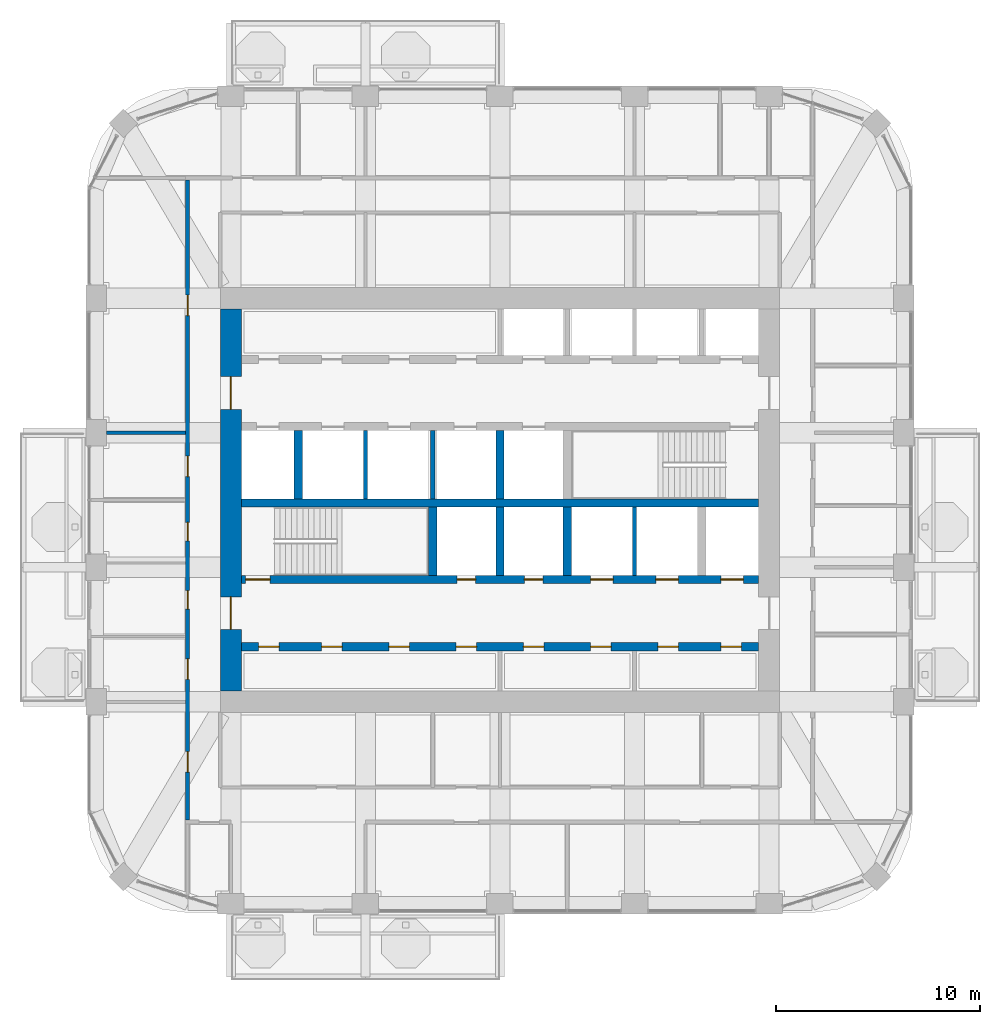
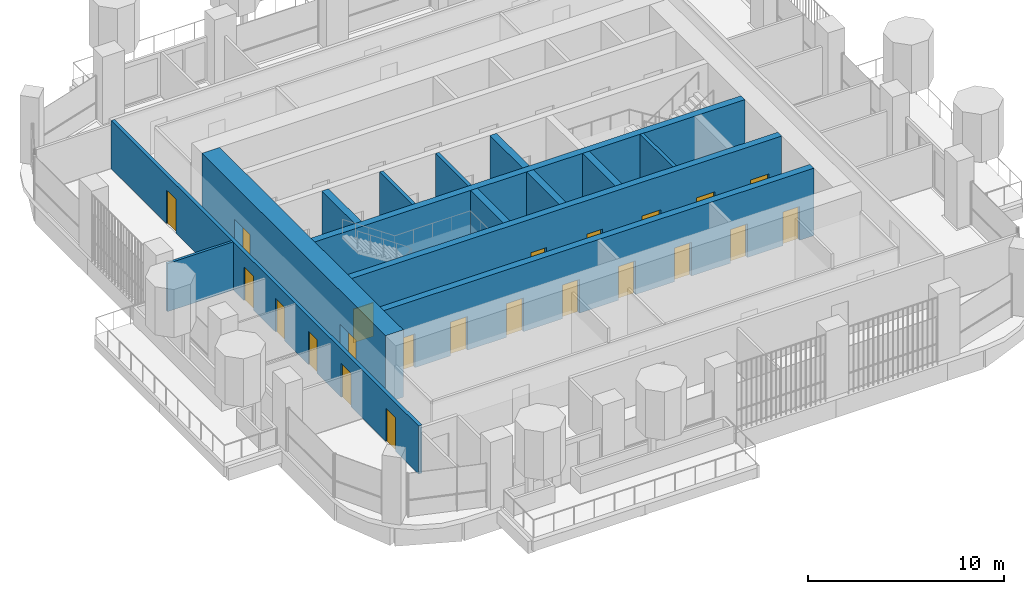
# One storey, part 12 of 20: 22 doors, 14 walls, 22 openings.
"""IFC4 building model written with IfcOpenShell, lengths in metres."""

from ifc_helpers import new_model, si_unit, direction, frame, frame_2d, origin, place, context, subcontext, project, spatial, rectangle, extrude, material, layer, layer_set, type_object, element, fill, save


model = new_model("IFC4")

# Units and contexts
model_context = context("Model", 3, precision=1e-05, world=origin(), true_north=direction((0.0, 1.0)))
body_context = subcontext(model_context, "Body", "Model", "MODEL_VIEW")
ifc_project = project(units=[si_unit("LENGTHUNIT", "METRE"), si_unit("AREAUNIT", "SQUARE_METRE"), si_unit("VOLUMEUNIT", "CUBIC_METRE"), si_unit("PLANEANGLEUNIT", "RADIAN"), si_unit("MASSUNIT", "GRAM", prefix="KILO")], contexts=[model_context])

# Site, building, storey
site_placement = place(None, origin())
site = spatial("IfcSite", under=ifc_project, at=site_placement, CompositionType="ELEMENT")
building_placement = place(site_placement, origin())
building = spatial("IfcBuilding", under=site, at=building_placement, Name="Cobogo Forest Laboratory Tower", CompositionType="ELEMENT")
storey_placement = place(building_placement, frame((0.0, 0.0, 254.39990234375)))
storey = spatial("IfcBuildingStorey", under=building, at=storey_placement, Name="L58", CompositionType="ELEMENT", Elevation=254.39990234375)

# Wall, openings, doors
ifc_material_1 = material(Name="Concrete HA-50 (C50/60)", Category="concrete")
ifc_layer_1 = layer(ifc_material_1, 0.39990234375)
ifc_layer_set_1 = layer_set([ifc_layer_1], Name="CI400 core inner wall 400")
wall_type_1 = type_object("IfcWallType", Name="CI400 core inner wall 400", PredefinedType="SHEAR", material=ifc_layer_set_1)
wall_1_placement = place(storey_placement, frame((13.72509765625, 15.89990234375, 0.0), z_axis=(0.0, 0.0, 1.0), x_axis=(1.0, 0.0, 0.0)))
wall_1 = element("IfcWall", 1, at=wall_1_placement, inside=storey, type_object=wall_type_1, Name="Core wall CI-15.9 L58", PredefinedType="SHEAR", context=body_context, shape_type="SweptSolid", body=[
    extrude(rectangle(XDim=25.349853515625, YDim=0.39990234375, at=frame_2d((12.6748046875, 0.0))), origin(), (0.0, 0.0, 1.0), 4.2001953125),
])
opening_1_placement = place(wall_1_placement, frame((0.83740234375, 0.0, 0.0)))
opening_1 = element("IfcOpeningElement", 2, at=opening_1_placement, cuts=wall_1, Name="Opening L58-D12", PredefinedType="OPENING", context=body_context, shape_type="SweptSolid", body=[
    extrude(rectangle(XDim=1.0, YDim=2.10009765625, at=frame_2d((0.5, 1.050048828125))), frame((0.0, 0.2099609375, 0.0), z_axis=(0.0, -1.0, 0.0), x_axis=(1.0, 0.0, 0.0)), (0.0, 0.0, 1.0), 0.419921875),
])
opening_2_placement = place(wall_1_placement, frame((3.925048828125, 0.0, 0.0)))
opening_2 = element("IfcOpeningElement", 3, at=opening_2_placement, cuts=wall_1, Name="Opening L58-D13", PredefinedType="OPENING", context=body_context, shape_type="SweptSolid", body=[
    extrude(rectangle(XDim=1.0, YDim=2.10009765625, at=frame_2d((0.5, 1.050048828125))), frame((0.0, 0.2099609375, 0.0), z_axis=(0.0, -1.0, 0.0), x_axis=(1.0, 0.0, 0.0)), (0.0, 0.0, 1.0), 0.419921875),
])
opening_3_placement = place(wall_1_placement, frame((7.22509765625, 0.0, 0.0)))
opening_3 = element("IfcOpeningElement", 4, at=opening_3_placement, cuts=wall_1, Name="Opening L58-D14", PredefinedType="OPENING", context=body_context, shape_type="SweptSolid", body=[
    extrude(rectangle(XDim=1.0, YDim=2.10009765625, at=frame_2d((0.5, 1.050048828125))), frame((0.0, 0.2099609375, 0.0), z_axis=(0.0, -1.0, 0.0), x_axis=(1.0, 0.0, 0.0)), (0.0, 0.0, 1.0), 0.419921875),
])
opening_4_placement = place(wall_1_placement, frame((10.52490234375, 0.0, 0.0)))
opening_4 = element("IfcOpeningElement", 5, at=opening_4_placement, cuts=wall_1, Name="Opening L58-D15", PredefinedType="OPENING", context=body_context, shape_type="SweptSolid", body=[
    extrude(rectangle(XDim=1.0, YDim=2.10009765625, at=frame_2d((0.5, 1.050048828125))), frame((0.0, 0.2099609375, 0.0), z_axis=(0.0, -1.0, 0.0), x_axis=(1.0, 0.0, 0.0)), (0.0, 0.0, 1.0), 0.419921875),
])
opening_5_placement = place(wall_1_placement, frame((13.824951171875, 0.0, 0.0)))
opening_5 = element("IfcOpeningElement", 6, at=opening_5_placement, cuts=wall_1, Name="Opening L58-D16", PredefinedType="OPENING", context=body_context, shape_type="SweptSolid", body=[
    extrude(rectangle(XDim=1.0, YDim=2.10009765625, at=frame_2d((0.5, 1.050048828125))), frame((0.0, 0.2099609375, 0.0), z_axis=(0.0, -1.0, 0.0), x_axis=(1.0, 0.0, 0.0)), (0.0, 0.0, 1.0), 0.419921875),
])
opening_6_placement = place(wall_1_placement, frame((17.125, 0.0, 0.0)))
opening_6 = element("IfcOpeningElement", 7, at=opening_6_placement, cuts=wall_1, Name="Opening L58-D17", PredefinedType="OPENING", context=body_context, shape_type="SweptSolid", body=[
    extrude(rectangle(XDim=1.0, YDim=2.10009765625, at=frame_2d((0.5, 1.050048828125))), frame((0.0, 0.2099609375, 0.0), z_axis=(0.0, -1.0, 0.0), x_axis=(1.0, 0.0, 0.0)), (0.0, 0.0, 1.0), 0.419921875),
])
opening_7_placement = place(wall_1_placement, frame((20.425048828125, 0.0, 0.0)))
opening_7 = element("IfcOpeningElement", 8, at=opening_7_placement, cuts=wall_1, Name="Opening L58-D18", PredefinedType="OPENING", context=body_context, shape_type="SweptSolid", body=[
    extrude(rectangle(XDim=1.0, YDim=2.10009765625, at=frame_2d((0.5, 1.050048828125))), frame((0.0, 0.2099609375, 0.0), z_axis=(0.0, -1.0, 0.0), x_axis=(1.0, 0.0, 0.0)), (0.0, 0.0, 1.0), 0.419921875),
])
opening_8_placement = place(wall_1_placement, frame((23.512451171875, 0.0, 0.0)))
opening_8 = element("IfcOpeningElement", 9, at=opening_8_placement, cuts=wall_1, Name="Opening L58-D19", PredefinedType="OPENING", context=body_context, shape_type="SweptSolid", body=[
    extrude(rectangle(XDim=1.0, YDim=2.10009765625, at=frame_2d((0.5, 1.050048828125))), frame((0.0, 0.2099609375, 0.0), z_axis=(0.0, -1.0, 0.0), x_axis=(1.0, 0.0, 0.0)), (0.0, 0.0, 1.0), 0.419921875),
])
ifc_material_2 = material(Name="Steel fire door", Category="steel")
door_type_1 = type_object("IfcDoorType", Name="FD1 fire door 1000 EI2 60", OperationType="SINGLE_SWING_LEFT", PredefinedType="DOOR", material=ifc_material_2)
door_1_placement = place(opening_1_placement, origin())
door_1 = element("IfcDoor", 10, at=door_1_placement, inside=storey, type_object=door_type_1, Name="Door L58-SH-LA1", OperationType="SINGLE_SWING_LEFT", OverallHeight=2.10009765625, OverallWidth=1.0, PredefinedType="DOOR", context=body_context, shape_type="SweptSolid", body=[
    extrude(rectangle(XDim=1.0, YDim=2.10009765625, at=frame_2d((0.5, 1.050048828125))), frame((0.0, 0.02490234375, 0.0), z_axis=(0.0, -1.0, 0.0), x_axis=(1.0, 0.0, 0.0)), (0.0, 0.0, 1.0), 0.050048828125),
])
fill(opening_1, door_1)
door_2_placement = place(opening_2_placement, origin())
door_2 = element("IfcDoor", 11, at=door_2_placement, inside=storey, type_object=door_type_1, Name="Door L58-SH-LA2", OperationType="SINGLE_SWING_LEFT", OverallHeight=2.10009765625, OverallWidth=1.0, PredefinedType="DOOR", context=body_context, shape_type="SweptSolid", body=[
    extrude(rectangle(XDim=1.0, YDim=2.10009765625, at=frame_2d((0.5, 1.050048828125))), frame((0.0, 0.02490234375, 0.0), z_axis=(0.0, -1.0, 0.0), x_axis=(1.0, 0.0, 0.0)), (0.0, 0.0, 1.0), 0.050048828125),
])
fill(opening_2, door_2)
door_3_placement = place(opening_3_placement, origin())
door_3 = element("IfcDoor", 12, at=door_3_placement, inside=storey, type_object=door_type_1, Name="Door L58-SH-LA3", OperationType="SINGLE_SWING_LEFT", OverallHeight=2.10009765625, OverallWidth=1.0, PredefinedType="DOOR", context=body_context, shape_type="SweptSolid", body=[
    extrude(rectangle(XDim=1.0, YDim=2.10009765625, at=frame_2d((0.5, 1.050048828125))), frame((0.0, 0.02490234375, 0.0), z_axis=(0.0, -1.0, 0.0), x_axis=(1.0, 0.0, 0.0)), (0.0, 0.0, 1.0), 0.050048828125),
])
fill(opening_3, door_3)
door_4_placement = place(opening_4_placement, origin())
door_4 = element("IfcDoor", 13, at=door_4_placement, inside=storey, type_object=door_type_1, Name="Door L58-SH-LA4", OperationType="SINGLE_SWING_LEFT", OverallHeight=2.10009765625, OverallWidth=1.0, PredefinedType="DOOR", context=body_context, shape_type="SweptSolid", body=[
    extrude(rectangle(XDim=1.0, YDim=2.10009765625, at=frame_2d((0.5, 1.050048828125))), frame((0.0, 0.02490234375, 0.0), z_axis=(0.0, -1.0, 0.0), x_axis=(1.0, 0.0, 0.0)), (0.0, 0.0, 1.0), 0.050048828125),
])
fill(opening_4, door_4)
door_5_placement = place(opening_5_placement, origin())
door_5 = element("IfcDoor", 14, at=door_5_placement, inside=storey, type_object=door_type_1, Name="Door L58-SH-LB1", OperationType="SINGLE_SWING_RIGHT", OverallHeight=2.10009765625, OverallWidth=1.0, PredefinedType="DOOR", context=body_context, shape_type="SweptSolid", body=[
    extrude(rectangle(XDim=1.0, YDim=2.10009765625, at=frame_2d((0.5, 1.050048828125))), frame((0.0, 0.02490234375, 0.0), z_axis=(0.0, -1.0, 0.0), x_axis=(1.0, 0.0, 0.0)), (0.0, 0.0, 1.0), 0.050048828125),
])
fill(opening_5, door_5)
door_6_placement = place(opening_6_placement, origin())
door_6 = element("IfcDoor", 15, at=door_6_placement, inside=storey, type_object=door_type_1, Name="Door L58-SH-LB2", OperationType="SINGLE_SWING_RIGHT", OverallHeight=2.10009765625, OverallWidth=1.0, PredefinedType="DOOR", context=body_context, shape_type="SweptSolid", body=[
    extrude(rectangle(XDim=1.0, YDim=2.10009765625, at=frame_2d((0.5, 1.050048828125))), frame((0.0, 0.02490234375, 0.0), z_axis=(0.0, -1.0, 0.0), x_axis=(1.0, 0.0, 0.0)), (0.0, 0.0, 1.0), 0.050048828125),
])
fill(opening_6, door_6)
door_7_placement = place(opening_7_placement, origin())
door_7 = element("IfcDoor", 16, at=door_7_placement, inside=storey, type_object=door_type_1, Name="Door L58-SH-LB3", OperationType="SINGLE_SWING_RIGHT", OverallHeight=2.10009765625, OverallWidth=1.0, PredefinedType="DOOR", context=body_context, shape_type="SweptSolid", body=[
    extrude(rectangle(XDim=1.0, YDim=2.10009765625, at=frame_2d((0.5, 1.050048828125))), frame((0.0, 0.02490234375, 0.0), z_axis=(0.0, -1.0, 0.0), x_axis=(1.0, 0.0, 0.0)), (0.0, 0.0, 1.0), 0.050048828125),
])
fill(opening_7, door_7)
door_8_placement = place(opening_8_placement, origin())
door_8 = element("IfcDoor", 17, at=door_8_placement, inside=storey, type_object=door_type_1, Name="Door L58-SH-LB4", OperationType="SINGLE_SWING_RIGHT", OverallHeight=2.10009765625, OverallWidth=1.0, PredefinedType="DOOR", context=body_context, shape_type="SweptSolid", body=[
    extrude(rectangle(XDim=1.0, YDim=2.10009765625, at=frame_2d((0.5, 1.050048828125))), frame((0.0, 0.02490234375, 0.0), z_axis=(0.0, -1.0, 0.0), x_axis=(1.0, 0.0, 0.0)), (0.0, 0.0, 1.0), 0.050048828125),
])
fill(opening_8, door_8)

wall_2_placement = place(storey_placement, frame((13.72509765625, 19.199951171875, 0.0), z_axis=(0.0, 0.0, 1.0), x_axis=(1.0, 0.0, 0.0)))
wall_2 = element("IfcWall", 18, at=wall_2_placement, inside=storey, type_object=wall_type_1, Name="Core wall CI-19.2 L58", PredefinedType="SHEAR", context=body_context, shape_type="SweptSolid", body=[
    extrude(rectangle(XDim=25.349853515625, YDim=0.39990234375, at=frame_2d((12.6748046875, 0.0))), origin(), (0.0, 0.0, 1.0), 4.2001953125),
])
opening_9_placement = place(wall_2_placement, frame((10.574951171875, 0.0, 0.0)))
opening_9 = element("IfcOpeningElement", 19, at=opening_9_placement, cuts=wall_2, Name="Opening L58-D27", PredefinedType="OPENING", context=body_context, shape_type="SweptSolid", body=[
    extrude(rectangle(XDim=0.89990234375, YDim=2.10009765625, at=frame_2d((0.449951171875, 1.050048828125))), frame((0.0, 0.2099609375, 0.0), z_axis=(0.0, -1.0, 0.0), x_axis=(1.0, 0.0, 0.0)), (0.0, 0.0, 1.0), 0.419921875),
])
opening_10_placement = place(wall_2_placement, frame((13.875, 0.0, 0.0)))
opening_10 = element("IfcOpeningElement", 20, at=opening_10_placement, cuts=wall_2, Name="Opening L58-D28", PredefinedType="OPENING", context=body_context, shape_type="SweptSolid", body=[
    extrude(rectangle(XDim=0.89990234375, YDim=2.10009765625, at=frame_2d((0.449951171875, 1.050048828125))), frame((0.0, 0.2099609375, 0.0), z_axis=(0.0, -1.0, 0.0), x_axis=(1.0, 0.0, 0.0)), (0.0, 0.0, 1.0), 0.419921875),
])
opening_11_placement = place(wall_2_placement, frame((0.199951171875, 0.0, 0.0)))
opening_11 = element("IfcOpeningElement", 21, at=opening_11_placement, cuts=wall_2, Name="Opening L58-D26", PredefinedType="OPENING", context=body_context, shape_type="SweptSolid", body=[
    extrude(rectangle(XDim=1.199951171875, YDim=2.10009765625, at=frame_2d((0.60009765625, 1.050048828125))), frame((0.0, 0.2099609375, 0.0), z_axis=(0.0, -1.0, 0.0), x_axis=(1.0, 0.0, 0.0)), (0.0, 0.0, 1.0), 0.419921875),
])
opening_12_placement = place(wall_2_placement, frame((23.512451171875, 0.0, 0.0)))
opening_12 = element("IfcOpeningElement", 22, at=opening_12_placement, cuts=wall_2, Name="Opening L58-LD-FL2", PredefinedType="OPENING", context=body_context, shape_type="SweptSolid", body=[
    extrude(rectangle(XDim=1.10009765625, YDim=2.10009765625, at=frame_2d((0.550048828125, 1.050048828125))), frame((0.0, 0.2099609375, 0.0), z_axis=(0.0, -1.0, 0.0), x_axis=(1.0, 0.0, 0.0)), (0.0, 0.0, 1.0), 0.419921875),
])
opening_13_placement = place(wall_2_placement, frame((17.125, 0.0, 0.0)))
opening_13 = element("IfcOpeningElement", 23, at=opening_13_placement, cuts=wall_2, Name="Opening L58-LD-LS1", PredefinedType="OPENING", context=body_context, shape_type="SweptSolid", body=[
    extrude(rectangle(XDim=1.10009765625, YDim=2.10009765625, at=frame_2d((0.550048828125, 1.050048828125))), frame((0.0, 0.2099609375, 0.0), z_axis=(0.0, -1.0, 0.0), x_axis=(1.0, 0.0, 0.0)), (0.0, 0.0, 1.0), 0.419921875),
])
opening_14_placement = place(wall_2_placement, frame((20.324951171875, 0.0, 0.0)))
opening_14 = element("IfcOpeningElement", 24, at=opening_14_placement, cuts=wall_2, Name="Opening L58-LD-LS2", PredefinedType="OPENING", context=body_context, shape_type="SweptSolid", body=[
    extrude(rectangle(XDim=1.10009765625, YDim=2.10009765625, at=frame_2d((0.550048828125, 1.050048828125))), frame((0.0, 0.2099609375, 0.0), z_axis=(0.0, -1.0, 0.0), x_axis=(1.0, 0.0, 0.0)), (0.0, 0.0, 1.0), 0.419921875),
])
door_type_2 = type_object("IfcDoorType", Name="DS1 protected stair door 1200 EI2 60", OperationType="SINGLE_SWING_LEFT", PredefinedType="DOOR", material=ifc_material_2)
door_9_placement = place(opening_11_placement, origin())
door_9 = element("IfcDoor", 25, at=door_9_placement, inside=storey, type_object=door_type_2, Name="Door L58-ST1", OperationType="SINGLE_SWING_LEFT", OverallHeight=2.10009765625, OverallWidth=1.199951171875, PredefinedType="DOOR", context=body_context, shape_type="SweptSolid", body=[
    extrude(rectangle(XDim=1.199951171875, YDim=2.10009765625, at=frame_2d((0.60009765625, 1.050048828125))), frame((0.0, 0.02490234375, 0.0), z_axis=(0.0, -1.0, 0.0), x_axis=(1.0, 0.0, 0.0)), (0.0, 0.0, 1.0), 0.050048828125),
])
fill(opening_11, door_9)
door_type_3 = type_object("IfcDoorType", Name="FD4 riser access door 900 EI2 60", OperationType="SINGLE_SWING_LEFT", PredefinedType="DOOR", material=ifc_material_2)
door_10_placement = place(opening_9_placement, origin())
door_10 = element("IfcDoor", 26, at=door_10_placement, inside=storey, type_object=door_type_3, Name="Door L58-R1", OperationType="SINGLE_SWING_LEFT", OverallHeight=2.10009765625, OverallWidth=0.89990234375, PredefinedType="DOOR", context=body_context, shape_type="SweptSolid", body=[
    extrude(rectangle(XDim=0.89990234375, YDim=2.10009765625, at=frame_2d((0.449951171875, 1.050048828125))), frame((0.0, 0.02490234375, 0.0), z_axis=(0.0, -1.0, 0.0), x_axis=(1.0, 0.0, 0.0)), (0.0, 0.0, 1.0), 0.050048828125),
])
fill(opening_9, door_10)
door_11_placement = place(opening_10_placement, origin())
door_11 = element("IfcDoor", 27, at=door_11_placement, inside=storey, type_object=door_type_3, Name="Door L58-R2", OperationType="SINGLE_SWING_RIGHT", OverallHeight=2.10009765625, OverallWidth=0.89990234375, PredefinedType="DOOR", context=body_context, shape_type="SweptSolid", body=[
    extrude(rectangle(XDim=0.89990234375, YDim=2.10009765625, at=frame_2d((0.449951171875, 1.050048828125))), frame((0.0, 0.02490234375, 0.0), z_axis=(0.0, -1.0, 0.0), x_axis=(1.0, 0.0, 0.0)), (0.0, 0.0, 1.0), 0.050048828125),
])
fill(opening_10, door_11)
ifc_material_3 = material(Name="Stainless steel lift door", Category="steel")
door_type_4 = type_object("IfcDoorType", Name="LD lift landing door 1100", OperationType="DOUBLE_DOOR_SLIDING", PredefinedType="DOOR", material=ifc_material_3)
door_12_placement = place(opening_12_placement, origin())
door_12 = element("IfcDoor", 28, at=door_12_placement, inside=storey, type_object=door_type_4, Name="Lift landing door FL2 L58", OperationType="DOUBLE_DOOR_SLIDING", OverallHeight=2.10009765625, OverallWidth=1.10009765625, PredefinedType="DOOR", context=body_context, shape_type="SweptSolid", body=[
    extrude(rectangle(XDim=1.10009765625, YDim=2.10009765625, at=frame_2d((0.550048828125, 1.050048828125))), frame((0.0, 0.02490234375, 0.0), z_axis=(0.0, -1.0, 0.0), x_axis=(1.0, 0.0, 0.0)), (0.0, 0.0, 1.0), 0.050048828125),
])
fill(opening_12, door_12)
door_13_placement = place(opening_13_placement, origin())
door_13 = element("IfcDoor", 29, at=door_13_placement, inside=storey, type_object=door_type_4, Name="Lift landing door LS1 L58", OperationType="DOUBLE_DOOR_SLIDING", OverallHeight=2.10009765625, OverallWidth=1.10009765625, PredefinedType="DOOR", context=body_context, shape_type="SweptSolid", body=[
    extrude(rectangle(XDim=1.10009765625, YDim=2.10009765625, at=frame_2d((0.550048828125, 1.050048828125))), frame((0.0, 0.02490234375, 0.0), z_axis=(0.0, -1.0, 0.0), x_axis=(1.0, 0.0, 0.0)), (0.0, 0.0, 1.0), 0.050048828125),
])
fill(opening_13, door_13)
door_14_placement = place(opening_14_placement, origin())
door_14 = element("IfcDoor", 30, at=door_14_placement, inside=storey, type_object=door_type_4, Name="Lift landing door LS2 L58", OperationType="DOUBLE_DOOR_SLIDING", OverallHeight=2.10009765625, OverallWidth=1.10009765625, PredefinedType="DOOR", context=body_context, shape_type="SweptSolid", body=[
    extrude(rectangle(XDim=1.10009765625, YDim=2.10009765625, at=frame_2d((0.550048828125, 1.050048828125))), frame((0.0, 0.02490234375, 0.0), z_axis=(0.0, -1.0, 0.0), x_axis=(1.0, 0.0, 0.0)), (0.0, 0.0, 1.0), 0.050048828125),
])
fill(opening_14, door_14)

# Walls
wall_3_placement = place(storey_placement, frame((13.72509765625, 22.949951171875, 0.0), z_axis=(0.0, 0.0, 1.0), x_axis=(1.0, 0.0, 0.0)))
element("IfcWall", 31, at=wall_3_placement, inside=storey, type_object=wall_type_1, Name="Core wall CI-22.95 L58", PredefinedType="SHEAR", context=body_context, shape_type="SweptSolid", body=[
    extrude(rectangle(XDim=25.349853515625, YDim=0.39990234375, at=frame_2d((12.6748046875, 0.0))), origin(), (0.0, 0.0, 1.0), 4.2001953125),
])
for number, where, z_axis, x_axis, name in (
    (32, (23.10009765625, 19.39990234375, 0.0), (0.0, 0.0, 1.0), (0.0, 1.0, 0.0), "Core wall CX-23.1 L58"),
    (33, (26.39990234375, 19.39990234375, 0.0), (0.0, 0.0, 1.0), (0.0, 1.0, 0.0), "Core wall CX-26.4S L58"),
    (34, (29.699951171875, 19.39990234375, 0.0), (0.0, 0.0, 1.0), (0.0, 1.0, 0.0), "Core wall CX-29.7S L58"),
    (35, (16.5, 23.14990234375, 0.0), (0.0, 0.0, 1.0), (0.0, 1.0, 0.0), "Core wall CX-16.5 L58"),
    (36, (26.39990234375, 23.14990234375, 0.0), (0.0, 0.0, 1.0), (0.0, 1.0, 0.0), "Core wall CX-26.4N L58"),
):
    element("IfcWall", number, at=place(storey_placement, frame(where, z_axis=z_axis, x_axis=x_axis)), inside=storey, type_object=wall_type_1, Name=name, PredefinedType="SHEAR", context=body_context, shape_type="SweptSolid", body=[
        extrude(rectangle(XDim=3.35009765625, YDim=0.39990234375, at=frame_2d((1.675048828125, 0.0))), origin(), (0.0, 0.0, 1.0), 4.2001953125),
    ])

# Wall, openings, doors
ifc_layer_2 = layer(ifc_material_1, 1.050048828125)
ifc_layer_set_2 = layer_set([ifc_layer_2], Name="CW1050 core outer wall 1050")
wall_type_2 = type_object("IfcWallType", Name="CW1050 core outer wall 1050", PredefinedType="SHEAR", material=ifc_layer_set_2)
wall_4_placement = place(storey_placement, frame((13.199951171875, 32.47509765625, 0.0), z_axis=(0.0, 0.0, 1.0), x_axis=(0.0, -1.0, 0.0)))
wall_4 = element("IfcWall", 37, at=wall_4_placement, inside=storey, type_object=wall_type_2, Name="Core wall CO-W L58", PredefinedType="SHEAR", context=body_context, shape_type="SweptSolid", body=[
    extrude(rectangle(XDim=18.75, YDim=1.050048828125, at=frame_2d((9.375, 0.0))), origin(), (0.0, 0.0, 1.0), 4.2001953125),
])
opening_15_placement = place(wall_4_placement, frame((14.125, 0.0, 0.0)))
opening_15 = element("IfcOpeningElement", 38, at=opening_15_placement, cuts=wall_4, Name="Opening L58-D22", PredefinedType="OPENING", context=body_context, shape_type="SweptSolid", body=[
    extrude(rectangle(XDim=1.60009765625, YDim=2.10009765625, at=frame_2d((0.800048828125, 1.050048828125))), frame((0.0, 0.534912109375, 0.0), z_axis=(0.0, -1.0, 0.0), x_axis=(1.0, 0.0, 0.0)), (0.0, 0.0, 1.0), 1.070068359375),
])
opening_16_placement = place(wall_4_placement, frame((3.324951171875, 0.0, 0.0)))
opening_16 = element("IfcOpeningElement", 39, at=opening_16_placement, cuts=wall_4, Name="Opening L58-D35", PredefinedType="OPENING", context=body_context, shape_type="SweptSolid", body=[
    extrude(rectangle(XDim=1.60009765625, YDim=2.10009765625, at=frame_2d((0.800048828125, 1.050048828125))), frame((0.0, 0.534912109375, 0.0), z_axis=(0.0, -1.0, 0.0), x_axis=(1.0, 0.0, 0.0)), (0.0, 0.0, 1.0), 1.070068359375),
])
door_type_5 = type_object("IfcDoorType", Name="DS2 protected lobby door pair 1600 EI2 60", OperationType="DOUBLE_DOOR_DOUBLE_SWING", PredefinedType="DOOR", material=ifc_material_2)
door_15_placement = place(opening_15_placement, origin())
door_15 = element("IfcDoor", 40, at=door_15_placement, inside=storey, type_object=door_type_5, Name="Door L58-CO-W-S", OperationType="DOUBLE_DOOR_DOUBLE_SWING", OverallHeight=2.10009765625, OverallWidth=1.60009765625, PredefinedType="DOOR", context=body_context, shape_type="SweptSolid", body=[
    extrude(rectangle(XDim=1.60009765625, YDim=2.10009765625, at=frame_2d((0.800048828125, 1.050048828125))), frame((0.0, 0.02490234375, 0.0), z_axis=(0.0, -1.0, 0.0), x_axis=(1.0, 0.0, 0.0)), (0.0, 0.0, 1.0), 0.050048828125),
])
fill(opening_15, door_15)
door_16_placement = place(opening_16_placement, origin())
door_16 = element("IfcDoor", 41, at=door_16_placement, inside=storey, type_object=door_type_5, Name="Door L58-CO-W-N", OperationType="DOUBLE_DOOR_DOUBLE_SWING", OverallHeight=2.10009765625, OverallWidth=1.60009765625, PredefinedType="DOOR", context=body_context, shape_type="SweptSolid", body=[
    extrude(rectangle(XDim=1.60009765625, YDim=2.10009765625, at=frame_2d((0.800048828125, 1.050048828125))), frame((0.0, 0.02490234375, 0.0), z_axis=(0.0, -1.0, 0.0), x_axis=(1.0, 0.0, 0.0)), (0.0, 0.0, 1.0), 0.050048828125),
])
fill(opening_16, door_16)

# Wall
ifc_material_4 = material(Name="Gypsum board on steel studs", Category="steel")
ifc_layer_3 = layer(ifc_material_4, 0.14990234375)
ifc_layer_set_3 = layer_set([ifc_layer_3], Name="PT1 laboratory partition 150")
wall_type_3 = type_object("IfcWallType", Name="PT1 laboratory partition 150", PredefinedType="PARTITIONING", material=ifc_layer_set_3)
wall_5_placement = place(storey_placement, frame((7.10009765625, 26.39990234375, 0.0), z_axis=(0.0, 0.0, 1.0), x_axis=(1.0, 0.0, 0.0)))
element("IfcWall", 42, at=wall_5_placement, inside=storey, type_object=wall_type_3, Name="Partition CUT-W26.4-1 L58", PredefinedType="PARTITIONING", context=body_context, shape_type="SweptSolid", body=[
    extrude(rectangle(XDim=3.875, YDim=0.14990234375, at=frame_2d((1.9375, 0.0))), origin(), (0.0, 0.0, 1.0), 3.0),
])

# Wall, openings, doors
ifc_layer_4 = layer(ifc_material_4, 0.199951171875)
ifc_layer_set_4 = layer_set([ifc_layer_4], Name="PT2 fire-rated corridor partition 200")
wall_type_4 = type_object("IfcWallType", Name="PT2 fire-rated corridor partition 200", PredefinedType="PARTITIONING", material=ifc_layer_set_4)
wall_6_placement = place(storey_placement, frame((11.074951171875, 7.39990234375, 0.0), z_axis=(0.0, 0.0, 1.0), x_axis=(0.0, 1.0, 0.0)))
wall_6 = element("IfcWall", 43, at=wall_6_placement, inside=storey, type_object=wall_type_4, Name="Partition CORR-W L58", PredefinedType="PARTITIONING", context=body_context, shape_type="SweptSolid", body=[
    extrude(rectangle(XDim=31.400146484375, YDim=0.199951171875, at=frame_2d((15.7001953125, 0.0))), origin(), (0.0, 0.0, 1.0), 3.0),
])
opening_17_placement = place(wall_6_placement, frame((2.35009765625, 0.0, 0.0)))
opening_17 = element("IfcOpeningElement", 44, at=opening_17_placement, cuts=wall_6, Name="Opening L58-D09", PredefinedType="OPENING", context=body_context, shape_type="SweptSolid", body=[
    extrude(rectangle(XDim=1.0, YDim=2.10009765625, at=frame_2d((0.5, 1.050048828125))), frame((0.0, 0.10986328125, 0.0), z_axis=(0.0, -1.0, 0.0), x_axis=(1.0, 0.0, 0.0)), (0.0, 0.0, 1.0), 0.219970703125),
])
opening_18_placement = place(wall_6_placement, frame((6.89990234375, 0.0, 0.0)))
opening_18 = element("IfcOpeningElement", 45, at=opening_18_placement, cuts=wall_6, Name="Opening L58-D11", PredefinedType="OPENING", context=body_context, shape_type="SweptSolid", body=[
    extrude(rectangle(XDim=1.0, YDim=2.10009765625, at=frame_2d((0.5, 1.050048828125))), frame((0.0, 0.10986328125, 0.0), z_axis=(0.0, -1.0, 0.0), x_axis=(1.0, 0.0, 0.0)), (0.0, 0.0, 1.0), 0.219970703125),
])
opening_19_placement = place(wall_6_placement, frame((10.35009765625, 0.0, 0.0)))
opening_19 = element("IfcOpeningElement", 46, at=opening_19_placement, cuts=wall_6, Name="Opening L58-D25", PredefinedType="OPENING", context=body_context, shape_type="SweptSolid", body=[
    extrude(rectangle(XDim=0.89990234375, YDim=2.10009765625, at=frame_2d((0.449951171875, 1.050048828125))), frame((0.0, 0.10986328125, 0.0), z_axis=(0.0, -1.0, 0.0), x_axis=(1.0, 0.0, 0.0)), (0.0, 0.0, 1.0), 0.219970703125),
])
opening_20_placement = place(wall_6_placement, frame((13.699951171875, 0.0, 0.0)))
opening_20 = element("IfcOpeningElement", 47, at=opening_20_placement, cuts=wall_6, Name="Opening L58-D30", PredefinedType="OPENING", context=body_context, shape_type="SweptSolid", body=[
    extrude(rectangle(XDim=0.89990234375, YDim=2.10009765625, at=frame_2d((0.449951171875, 1.050048828125))), frame((0.0, 0.10986328125, 0.0), z_axis=(0.0, -1.0, 0.0), x_axis=(1.0, 0.0, 0.0)), (0.0, 0.0, 1.0), 0.219970703125),
])
opening_21_placement = place(wall_6_placement, frame((16.85009765625, 0.0, 0.0)))
opening_21 = element("IfcOpeningElement", 48, at=opening_21_placement, cuts=wall_6, Name="Opening L58-D32", PredefinedType="OPENING", context=body_context, shape_type="SweptSolid", body=[
    extrude(rectangle(XDim=1.0, YDim=2.10009765625, at=frame_2d((0.5, 1.050048828125))), frame((0.0, 0.10986328125, 0.0), z_axis=(0.0, -1.0, 0.0), x_axis=(1.0, 0.0, 0.0)), (0.0, 0.0, 1.0), 0.219970703125),
])
opening_22_placement = place(wall_6_placement, frame((24.75, 0.0, 0.0)))
opening_22 = element("IfcOpeningElement", 49, at=opening_22_placement, cuts=wall_6, Name="Opening L58-D41", PredefinedType="OPENING", context=body_context, shape_type="SweptSolid", body=[
    extrude(rectangle(XDim=1.0, YDim=2.10009765625, at=frame_2d((0.5, 1.050048828125))), frame((0.0, 0.10986328125, 0.0), z_axis=(0.0, -1.0, 0.0), x_axis=(1.0, 0.0, 0.0)), (0.0, 0.0, 1.0), 0.219970703125),
])
ifc_material_5 = material(Name="Timber fire door", Category="wood")
door_type_6 = type_object("IfcDoorType", Name="FD2 fire door 1000 EI2 30", OperationType="SINGLE_SWING_LEFT", PredefinedType="DOOR", material=ifc_material_5)
door_17_placement = place(opening_17_placement, origin())
door_17 = element("IfcDoor", 50, at=door_17_placement, inside=storey, type_object=door_type_6, Name="Door L58-W1", OperationType="SINGLE_SWING_LEFT", OverallHeight=2.10009765625, OverallWidth=1.0, PredefinedType="DOOR", context=body_context, shape_type="SweptSolid", body=[
    extrude(rectangle(XDim=1.0, YDim=2.10009765625, at=frame_2d((0.5, 1.050048828125))), frame((0.0, 0.02490234375, 0.0), z_axis=(0.0, -1.0, 0.0), x_axis=(1.0, 0.0, 0.0)), (0.0, 0.0, 1.0), 0.050048828125),
])
fill(opening_17, door_17)
door_18_placement = place(opening_21_placement, origin())
door_18 = element("IfcDoor", 51, at=door_18_placement, inside=storey, type_object=door_type_6, Name="Door L58-W2", OperationType="SINGLE_SWING_RIGHT", OverallHeight=2.10009765625, OverallWidth=1.0, PredefinedType="DOOR", context=body_context, shape_type="SweptSolid", body=[
    extrude(rectangle(XDim=1.0, YDim=2.10009765625, at=frame_2d((0.5, 1.050048828125))), frame((0.0, 0.02490234375, 0.0), z_axis=(0.0, -1.0, 0.0), x_axis=(1.0, 0.0, 0.0)), (0.0, 0.0, 1.0), 0.050048828125),
])
fill(opening_21, door_18)
door_19_placement = place(opening_22_placement, origin())
door_19 = element("IfcDoor", 52, at=door_19_placement, inside=storey, type_object=door_type_6, Name="Door L58-W3", OperationType="SINGLE_SWING_RIGHT", OverallHeight=2.10009765625, OverallWidth=1.0, PredefinedType="DOOR", context=body_context, shape_type="SweptSolid", body=[
    extrude(rectangle(XDim=1.0, YDim=2.10009765625, at=frame_2d((0.5, 1.050048828125))), frame((0.0, 0.02490234375, 0.0), z_axis=(0.0, -1.0, 0.0), x_axis=(1.0, 0.0, 0.0)), (0.0, 0.0, 1.0), 0.050048828125),
])
fill(opening_22, door_19)
door_type_7 = type_object("IfcDoorType", Name="FD3 toilet fire door 900 EI2 30", OperationType="SINGLE_SWING_LEFT", PredefinedType="DOOR", material=ifc_material_5)
door_20_placement = place(opening_19_placement, origin())
door_20 = element("IfcDoor", 53, at=door_20_placement, inside=storey, type_object=door_type_7, Name="Door L58-WCF", OperationType="SINGLE_SWING_LEFT", OverallHeight=2.10009765625, OverallWidth=0.89990234375, PredefinedType="DOOR", context=body_context, shape_type="SweptSolid", body=[
    extrude(rectangle(XDim=0.89990234375, YDim=2.10009765625, at=frame_2d((0.449951171875, 1.050048828125))), frame((0.0, 0.02490234375, 0.0), z_axis=(0.0, -1.0, 0.0), x_axis=(1.0, 0.0, 0.0)), (0.0, 0.0, 1.0), 0.050048828125),
])
fill(opening_19, door_20)
door_21_placement = place(opening_20_placement, origin())
door_21 = element("IfcDoor", 54, at=door_21_placement, inside=storey, type_object=door_type_7, Name="Door L58-WCM", OperationType="SINGLE_SWING_LEFT", OverallHeight=2.10009765625, OverallWidth=0.89990234375, PredefinedType="DOOR", context=body_context, shape_type="SweptSolid", body=[
    extrude(rectangle(XDim=0.89990234375, YDim=2.10009765625, at=frame_2d((0.449951171875, 1.050048828125))), frame((0.0, 0.02490234375, 0.0), z_axis=(0.0, -1.0, 0.0), x_axis=(1.0, 0.0, 0.0)), (0.0, 0.0, 1.0), 0.050048828125),
])
fill(opening_20, door_21)
door_type_8 = type_object("IfcDoorType", Name="FDA1 accessible toilet fire door 1000 EI2 30", OperationType="SINGLE_SWING_RIGHT", PredefinedType="DOOR", material=ifc_material_5)
door_22_placement = place(opening_18_placement, origin())
door_22 = element("IfcDoor", 55, at=door_22_placement, inside=storey, type_object=door_type_8, Name="Door L58-WCA", OperationType="SINGLE_SWING_LEFT", OverallHeight=2.10009765625, OverallWidth=1.0, PredefinedType="DOOR", context=body_context, shape_type="SweptSolid", body=[
    extrude(rectangle(XDim=1.0, YDim=2.10009765625, at=frame_2d((0.5, 1.050048828125))), frame((0.0, 0.02490234375, 0.0), z_axis=(0.0, -1.0, 0.0), x_axis=(1.0, 0.0, 0.0)), (0.0, 0.0, 1.0), 0.050048828125),
])
fill(opening_18, door_22)

# Walls
ifc_material_6 = material(Name="Concrete block", Category="concrete")
ifc_layer_5 = layer(ifc_material_6, 0.199951171875)
ifc_layer_set_5 = layer_set([ifc_layer_5], Name="SW200 lift shaft separator 200")
wall_type_5 = type_object("IfcWallType", Name="SW200 lift shaft separator 200", PredefinedType="PARTITIONING", material=ifc_layer_set_5)
for number, where, z_axis, x_axis, name in (
    (56, (33.0, 19.39990234375, 0.0), (0.0, 0.0, 1.0), (0.0, 1.0, 0.0), "Core wall SEP-M33.0 L58"),
    (57, (19.800048828125, 23.14990234375, 0.0), (0.0, 0.0, 1.0), (0.0, 1.0, 0.0), "Core wall SEP-M19.8 L58"),
    (58, (23.10009765625, 23.14990234375, 0.0), (0.0, 0.0, 1.0), (0.0, 1.0, 0.0), "Core wall SEP-M23.1 L58"),
):
    element("IfcWall", number, at=place(storey_placement, frame(where, z_axis=z_axis, x_axis=x_axis)), inside=storey, type_object=wall_type_5, Name=name, PredefinedType="PARTITIONING", context=body_context, shape_type="SweptSolid", body=[
        extrude(rectangle(XDim=3.35009765625, YDim=0.199951171875, at=frame_2d((1.675048828125, 0.0))), origin(), (0.0, 0.0, 1.0), 4.2001953125),
    ])

save(model, "model.ifc")
